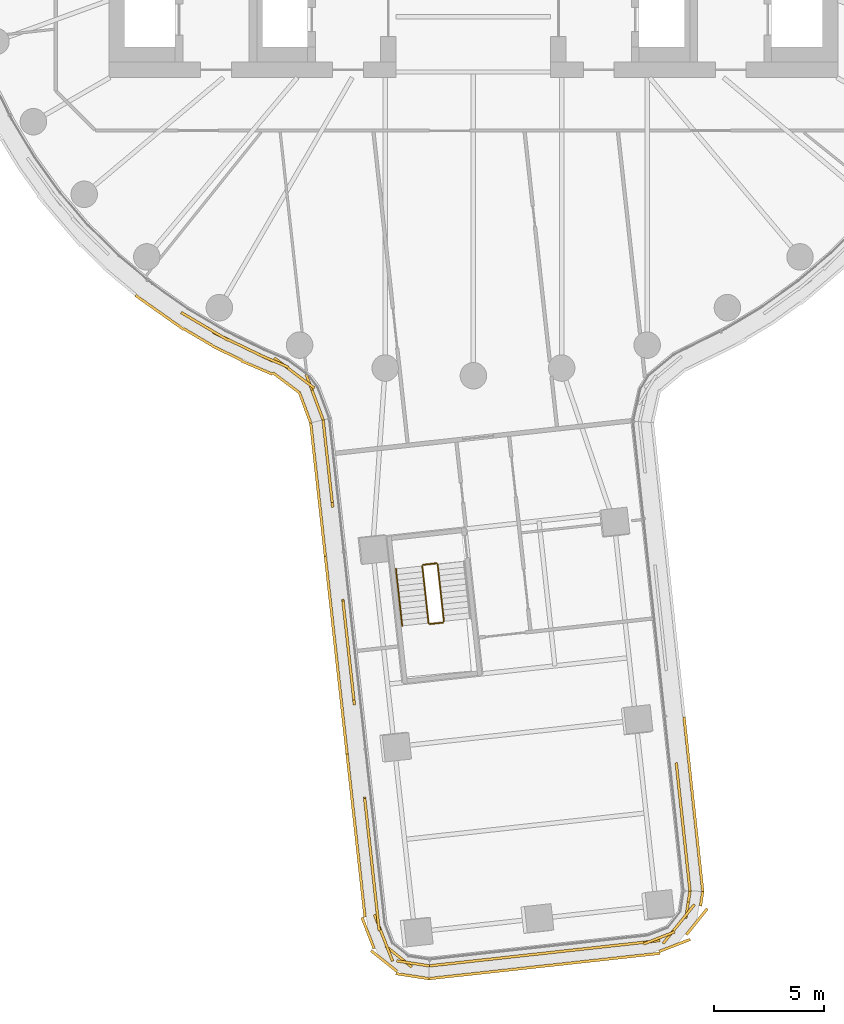
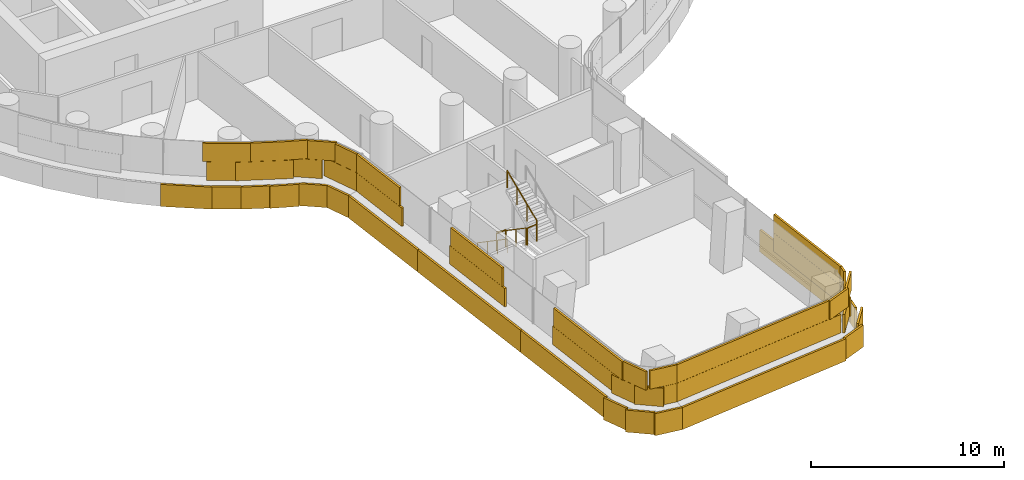
# One storey, part 25 of 31: 6 coverings, 5 railings.
"""IFC4 building model written with IfcOpenShell, lengths in metres."""

from ifc_helpers import new_model, si_unit, direction, frame, origin, origin_2d, place, context, subcontext, project, spatial, rectangle, circle, extrude, material, layer, layer_set, type_object, element, save


model = new_model("IFC4")

# Units and contexts
model_context = context("Model", 3, precision=1e-05, world=origin(), true_north=direction((0.0, 1.0)))
body_context = subcontext(model_context, "Body", "Model", "MODEL_VIEW")
ifc_project = project(units=[si_unit("LENGTHUNIT", "METRE"), si_unit("AREAUNIT", "SQUARE_METRE"), si_unit("VOLUMEUNIT", "CUBIC_METRE"), si_unit("PLANEANGLEUNIT", "RADIAN"), si_unit("MASSUNIT", "GRAM", prefix="KILO")], contexts=[model_context])

# Site, building, storey
site_placement = place(None, origin())
site = spatial("IfcSite", under=ifc_project, at=site_placement, CompositionType="ELEMENT")
building_placement = place(site_placement, origin())
building = spatial("IfcBuilding", under=site, at=building_placement, Name="Tamarind Cross Interchange Tower", CompositionType="ELEMENT")
storey_placement = place(building_placement, frame((0.0, 0.0, 56.5)))
storey = spatial("IfcBuildingStorey", under=building, at=storey_placement, Name="L12", CompositionType="ELEMENT", Elevation=56.5)

# Railings
ifc_material_1 = material(Name="Stair guard")
railing_type_1 = type_object("IfcRailingType", Name="Stair guard", PredefinedType="GUARDRAIL", material=ifc_material_1)
railing_1_placement = place(storey_placement, frame((-2.314453125, -31.610107421875, 0.17041015625)))
element("IfcRailing", 1, at=railing_1_placement, inside=storey, type_object=railing_type_1, Name="L12 ST6 stair guard 1", PredefinedType="GUARDRAIL", context=body_context, shape_type="SweptSolid", body=[
    extrude(circle(Radius=0.02392578125, at=origin_2d()), frame((0.0, 0.0, 1.076171875), z_axis=(0.091327612329, -0.831293296749, 0.548279784423), x_axis=(0.994019246663, 0.109205023982, 0.0)), (0.0, 0.0, 1.0), 3.10888671875),
    extrude(circle(Radius=0.02099609375, at=origin_2d()), origin(), (0.0, 0.0, 1.0), 1.052001953125),
    extrude(circle(Radius=0.02099609375, at=origin_2d()), frame((0.0947265625, -0.861572265625, 0.568115234375)), (0.0, 0.0, 1.0), 1.052001953125),
    extrude(circle(Radius=0.02099609375, at=origin_2d()), frame((0.189208984375, -1.722900390625, 1.136474609375)), (0.0, 0.0, 1.0), 1.052001953125),
    extrude(circle(Radius=0.02099609375, at=origin_2d()), frame((0.283935546875, -2.58447265625, 1.70458984375)), (0.0, 0.0, 1.0), 1.052001953125),
])
railing_2_placement = place(storey_placement, frame((-1.975341796875, -34.23876953125, 1.875)))
element("IfcRailing", 2, at=railing_2_placement, inside=storey, type_object=railing_type_1, Name="L12 ST6 stair guard 2", PredefinedType="GUARDRAIL", context=body_context, shape_type="SweptSolid", body=[
    extrude(circle(Radius=0.02392578125, at=origin_2d()), frame((0.0, 0.0, 1.076171875), z_axis=(0.994036595398, 0.109046994501, 0.0), x_axis=(-0.109046994501, 0.994036595398, 0.0)), (0.0, 0.0, 1.0), 0.60009765625),
    extrude(circle(Radius=0.02099609375, at=origin_2d()), origin(), (0.0, 0.0, 1.0), 1.052001953125),
    extrude(circle(Radius=0.02099609375, at=origin_2d()), frame((0.596435546875, 0.0654296875, 0.0)), (0.0, 0.0, 1.0), 1.052001953125),
])
railing_3_placement = place(storey_placement, frame((-1.334716796875, -34.1181640625, 2.04541015625)))
element("IfcRailing", 3, at=railing_3_placement, inside=storey, type_object=railing_type_1, Name="L12 ST6 stair guard 3", PredefinedType="GUARDRAIL", context=body_context, shape_type="SweptSolid", body=[
    extrude(circle(Radius=0.02392578125, at=origin_2d()), frame((0.0, 0.0, 1.076171875), z_axis=(-0.091327612329, 0.831293296749, 0.548279784423), x_axis=(-0.994019246663, -0.109205023982, 0.0)), (0.0, 0.0, 1.0), 3.10888671875),
    extrude(circle(Radius=0.02099609375, at=origin_2d()), origin(), (0.0, 0.0, 1.0), 1.052001953125),
    extrude(circle(Radius=0.02099609375, at=origin_2d()), frame((-0.0947265625, 0.861572265625, 0.568115234375)), (0.0, 0.0, 1.0), 1.052001953125),
    extrude(circle(Radius=0.02099609375, at=origin_2d()), frame((-0.189208984375, 1.722900390625, 1.136474609375)), (0.0, 0.0, 1.0), 1.052001953125),
    extrude(circle(Radius=0.02099609375, at=origin_2d()), frame((-0.283935546875, 2.58447265625, 1.70458984375)), (0.0, 0.0, 1.0), 1.052001953125),
])
railing_4_placement = place(storey_placement, frame((-2.270263671875, -31.554931640625, 0.0)))
element("IfcRailing", 4, at=railing_4_placement, inside=storey, type_object=railing_type_1, Name="L12 ST6 stair guard 4", PredefinedType="GUARDRAIL", context=body_context, shape_type="SweptSolid", body=[
    extrude(circle(Radius=0.02392578125, at=origin_2d()), frame((0.0, 0.0, 1.076171875), z_axis=(0.994036595398, 0.109046994501, 0.0), x_axis=(-0.109046994501, 0.994036595398, 0.0)), (0.0, 0.0, 1.0), 0.60009765625),
    extrude(circle(Radius=0.02099609375, at=origin_2d()), origin(), (0.0, 0.0, 1.0), 1.052001953125),
    extrude(circle(Radius=0.02099609375, at=origin_2d()), frame((0.596435546875, 0.0654296875, 0.0)), (0.0, 0.0, 1.0), 1.052001953125),
])
ifc_material_2 = material(Name="Stair handrail")
railing_type_2 = type_object("IfcRailingType", Name="Stair handrail", PredefinedType="HANDRAIL", material=ifc_material_2)
railing_5_placement = place(storey_placement, frame((-3.50732421875, -31.7412109375, 0.17041015625)))
element("IfcRailing", 5, at=railing_5_placement, inside=storey, type_object=railing_type_2, Name="L12 ST6 stair handrail 1", PredefinedType="HANDRAIL", context=body_context, shape_type="SweptSolid", body=[
    extrude(circle(Radius=0.02392578125, at=origin_2d()), frame((0.0, 0.0, 0.8759765625), z_axis=(0.091327612329, -0.831293296749, 0.548279784423), x_axis=(0.994019246663, 0.109205023982, 0.0)), (0.0, 0.0, 1.0), 3.10888671875),
    extrude(circle(Radius=0.02099609375, at=origin_2d()), origin(), (0.0, 0.0, 1.0), 0.851806640625),
    extrude(circle(Radius=0.02099609375, at=origin_2d()), frame((0.0947265625, -0.861572265625, 0.568115234375)), (0.0, 0.0, 1.0), 0.851806640625),
    extrude(circle(Radius=0.02099609375, at=origin_2d()), frame((0.189208984375, -1.722900390625, 1.136474609375)), (0.0, 0.0, 1.0), 0.851806640625),
    extrude(circle(Radius=0.02099609375, at=origin_2d()), frame((0.283935546875, -2.58447265625, 1.70458984375)), (0.0, 0.0, 1.0), 0.851806640625),
])

# Coverings
ifc_material_3 = material(Name="Terracotta", Category="masonry")
ifc_layer = layer(ifc_material_3, 0.1201171875)
ifc_layer_set = layer_set([ifc_layer], Name="Terracotta")
covering_type = type_object("IfcCoveringType", Name="Terracotta baguette screen unit", PredefinedType="MOLDING", material=ifc_layer_set)
covering_1_placement = place(storey_placement, origin())
element("IfcCovering", 6, at=covering_1_placement, inside=storey, type_object=covering_type, Name="SCR-L12-10-01", PredefinedType="MOLDING", context=body_context, shape_type="SweptSolid", body=[
    extrude(rectangle(XDim=1.52001953125, YDim=0.1201171875, at=origin_2d()), frame((-12.41162109375, -20.618896484375, 1.404052734375), z_axis=(0.0, 0.0, 1.0), x_axis=(0.861248933065, -0.508183308752, 0.0)), (0.0, 0.0, 1.0), 1.1669921875),
    extrude(rectangle(XDim=1.52001953125, YDim=0.1201171875, at=origin_2d()), frame((-11.108154296875, -21.35986328125, 1.404052734375), z_axis=(0.0, 0.0, 1.0), x_axis=(0.900272776334, -0.435326231914, 0.0)), (0.0, 0.0, 1.0), 1.1669921875),
    extrude(rectangle(XDim=1.52001953125, YDim=0.1201171875, at=origin_2d()), frame((-9.7578125, -22.012939453125, 1.404052734375), z_axis=(0.0, 0.0, 1.0), x_axis=(0.900272776334, -0.435326231914, 0.0)), (0.0, 0.0, 1.0), 1.1669921875),
    extrude(rectangle(XDim=1.52001953125, YDim=0.1201171875, at=origin_2d()), frame((-8.405517578125, -22.651123046875, 1.404052734375), z_axis=(0.0, 0.0, 1.0), x_axis=(0.799478775796, -0.600694337457, 0.0)), (0.0, 0.0, 1.0), 1.1669921875),
    extrude(rectangle(XDim=1.52001953125, YDim=0.1201171875, at=origin_2d()), frame((-7.3056640625, -23.651611328125, 1.404052734375), z_axis=(0.0, 0.0, 1.0), x_axis=(0.349296848309, -0.937012119325, 0.0)), (0.0, 0.0, 1.0), 1.1669921875),
    extrude(rectangle(XDim=0.69921875, YDim=0.1201171875, at=origin_2d()), frame((-6.92333984375, -24.67724609375, 1.404052734375), z_axis=(0.0, 0.0, 1.0), x_axis=(0.349296848309, -0.937012119325, 0.0)), (0.0, 0.0, 1.0), 1.1669921875),
    extrude(rectangle(XDim=0.9638671875, YDim=0.1201171875, at=origin_2d()), frame((-12.822265625, -20.376708984375, 2.5791015625), z_axis=(0.0, 0.0, 1.0), x_axis=(0.861248933065, -0.508183308752, 0.0)), (0.0, 0.0, 1.0), 1.1669921875),
    extrude(rectangle(XDim=1.52001953125, YDim=0.1201171875, at=origin_2d()), frame((-11.765625, -21.000244140625, 2.5791015625), z_axis=(0.0, 0.0, 1.0), x_axis=(0.861248933065, -0.508183308752, 0.0)), (0.0, 0.0, 1.0), 1.1669921875),
    extrude(rectangle(XDim=1.52001953125, YDim=0.1201171875, at=origin_2d()), frame((-10.43310546875, -21.686279296875, 2.5791015625), z_axis=(0.0, 0.0, 1.0), x_axis=(0.900272776334, -0.435326231914, 0.0)), (0.0, 0.0, 1.0), 1.1669921875),
    extrude(rectangle(XDim=1.52001953125, YDim=0.1201171875, at=origin_2d()), frame((-9.072265625, -22.31640625, 2.5791015625), z_axis=(0.0, 0.0, 1.0), x_axis=(0.91921788049, -0.393749270714, 0.0)), (0.0, 0.0, 1.0), 1.1669921875),
    extrude(rectangle(XDim=1.52001953125, YDim=0.1201171875, at=origin_2d()), frame((-7.805908203125, -23.1015625, 2.5791015625), z_axis=(0.0, 0.0, 1.0), x_axis=(0.799478775796, -0.600694337457, 0.0)), (0.0, 0.0, 1.0), 1.1669921875),
    extrude(rectangle(XDim=1.44921875, YDim=0.1201171875, at=origin_2d()), frame((-7.054443359375, -24.32568359375, 2.5791015625), z_axis=(0.0, 0.0, 1.0), x_axis=(0.349296848309, -0.937012119325, 0.0)), (0.0, 0.0, 1.0), 1.1669921875),
    extrude(rectangle(XDim=1.170654296875, YDim=0.1201171875, at=origin_2d()), frame((-14.818359375, -19.69873046875, 0.00390625), z_axis=(0.0, 0.0, 1.0), x_axis=(0.816341886298, -0.577568978284, 0.0)), (0.0, 0.0, 1.0), 1.39208984375),
    extrude(rectangle(XDim=1.52001953125, YDim=0.1201171875, at=origin_2d()), frame((-13.736572265625, -20.464111328125, 0.00390625), z_axis=(0.0, 0.0, 1.0), x_axis=(0.816341886298, -0.577568978284, 0.0)), (0.0, 0.0, 1.0), 1.39208984375),
    extrude(rectangle(XDim=1.52001953125, YDim=0.1201171875, at=origin_2d()), frame((-12.463134765625, -21.255126953125, 0.00390625), z_axis=(0.0, 0.0, 1.0), x_axis=(0.861248933065, -0.508183308752, 0.0)), (0.0, 0.0, 1.0), 1.39208984375),
    extrude(rectangle(XDim=1.52001953125, YDim=0.1201171875, at=origin_2d()), frame((-11.14990234375, -21.977294921875, 0.00390625), z_axis=(0.0, 0.0, 1.0), x_axis=(0.900272776334, -0.435326231914, 0.0)), (0.0, 0.0, 1.0), 1.39208984375),
    extrude(rectangle(XDim=1.52001953125, YDim=0.1201171875, at=origin_2d()), frame((-9.799072265625, -22.62939453125, 0.00390625), z_axis=(0.0, 0.0, 1.0), x_axis=(0.91921788049, -0.393749270714, 0.0)), (0.0, 0.0, 1.0), 1.39208984375),
    extrude(rectangle(XDim=1.52001953125, YDim=0.1201171875, at=origin_2d()), frame((-8.475830078125, -23.316162109375, 0.00390625), z_axis=(0.0, 0.0, 1.0), x_axis=(0.799478775796, -0.600694337457, 0.0)), (0.0, 0.0, 1.0), 1.39208984375),
    extrude(rectangle(XDim=1.455322265625, YDim=0.1201171875, at=origin_2d()), frame((-7.6201171875, -24.451904296875, 0.00390625), z_axis=(0.0, 0.0, 1.0), x_axis=(0.349296848309, -0.937012119325, 0.0)), (0.0, 0.0, 1.0), 1.39208984375),
])
covering_2_placement = place(storey_placement, origin())
element("IfcCovering", 7, at=covering_2_placement, inside=storey, type_object=covering_type, Name="SCR-L12-11-00", PredefinedType="MOLDING", context=body_context, shape_type="SweptSolid", body=[
    extrude(rectangle(XDim=1.510009765625, YDim=0.1201171875, at=origin_2d()), frame((-6.72119140625, -25.74560546875, 1.404052734375), z_axis=(0.0, 0.0, 1.0), x_axis=(0.109193040639, -0.994020563105, 0.0)), (0.0, 0.0, 1.0), 1.1669921875),
    extrude(rectangle(XDim=1.52001953125, YDim=0.1201171875, at=origin_2d()), frame((-6.557373046875, -27.236572265625, 1.404052734375), z_axis=(0.0, 0.0, 1.0), x_axis=(0.109193040639, -0.994020563105, 0.0)), (0.0, 0.0, 1.0), 1.1669921875),
    extrude(rectangle(XDim=0.982177734375, YDim=0.1201171875, at=origin_2d()), frame((-6.42236328125, -28.46533203125, 1.404052734375), z_axis=(0.0, 0.0, 1.0), x_axis=(0.109193040639, -0.994020563105, 0.0)), (0.0, 0.0, 1.0), 1.1669921875),
    extrude(rectangle(XDim=0.760009765625, YDim=0.1201171875, at=origin_2d()), frame((-6.76220703125, -25.372802734375, 2.5791015625), z_axis=(0.0, 0.0, 1.0), x_axis=(0.109193040639, -0.994020563105, 0.0)), (0.0, 0.0, 1.0), 1.1669921875),
    extrude(rectangle(XDim=1.52001953125, YDim=0.1201171875, at=origin_2d()), frame((-6.639404296875, -26.490966796875, 2.5791015625), z_axis=(0.0, 0.0, 1.0), x_axis=(0.109193040639, -0.994020563105, 0.0)), (0.0, 0.0, 1.0), 1.1669921875),
    extrude(rectangle(XDim=1.52001953125, YDim=0.1201171875, at=origin_2d()), frame((-6.4755859375, -27.982177734375, 2.5791015625), z_axis=(0.0, 0.0, 1.0), x_axis=(0.109193040639, -0.994020563105, 0.0)), (0.0, 0.0, 1.0), 1.1669921875),
    extrude(rectangle(XDim=1.510009765625, YDim=0.1201171875, at=origin_2d()), frame((-7.283447265625, -25.884033203125, 0.00390625), z_axis=(0.0, 0.0, 1.0), x_axis=(0.109193040639, -0.994020563105, 0.0)), (0.0, 0.0, 1.0), 1.39208984375),
    extrude(rectangle(XDim=1.52001953125, YDim=0.1201171875, at=origin_2d()), frame((-7.1201171875, -27.3701171875, 0.00390625), z_axis=(0.0, 0.0, 1.0), x_axis=(0.109193040639, -0.994020563105, 0.0)), (0.0, 0.0, 1.0), 1.39208984375),
    extrude(rectangle(XDim=1.52001953125, YDim=0.1201171875, at=origin_2d()), frame((-6.956298828125, -28.861328125, 0.00390625), z_axis=(0.0, 0.0, 1.0), x_axis=(0.109193040639, -0.994020563105, 0.0)), (0.0, 0.0, 1.0), 1.39208984375),
    extrude(rectangle(XDim=1.52001953125, YDim=0.1201171875, at=origin_2d()), frame((-6.792724609375, -30.352294921875, 0.00390625), z_axis=(0.0, 0.0, 1.0), x_axis=(0.109193040639, -0.994020563105, 0.0)), (0.0, 0.0, 1.0), 1.39208984375),
    extrude(rectangle(XDim=0.083251953125, YDim=0.1201171875, at=origin_2d()), frame((-6.707275390625, -31.129150390625, 0.00390625), z_axis=(0.0, 0.0, 1.0), x_axis=(0.109193040639, -0.994020563105, 0.0)), (0.0, 0.0, 1.0), 1.39208984375),
])
covering_3_placement = place(storey_placement, origin())
element("IfcCovering", 8, at=covering_3_placement, inside=storey, type_object=covering_type, Name="SCR-L12-11-01", PredefinedType="MOLDING", context=body_context, shape_type="SweptSolid", body=[
    extrude(rectangle(XDim=0.837890625, YDim=0.1201171875, at=origin_2d()), frame((-5.865478515625, -33.53466796875, 1.404052734375), z_axis=(0.0, 0.0, 1.0), x_axis=(0.109193040639, -0.994020563105, 0.0)), (0.0, 0.0, 1.0), 1.1669921875),
    extrude(rectangle(XDim=1.52001953125, YDim=0.1201171875, at=origin_2d()), frame((-5.738525390625, -34.691650390625, 1.404052734375), z_axis=(0.0, 0.0, 1.0), x_axis=(0.109193040639, -0.994020563105, 0.0)), (0.0, 0.0, 1.0), 1.1669921875),
    extrude(rectangle(XDim=1.52001953125, YDim=0.1201171875, at=origin_2d()), frame((-5.57470703125, -36.182861328125, 1.404052734375), z_axis=(0.0, 0.0, 1.0), x_axis=(0.109193040639, -0.994020563105, 0.0)), (0.0, 0.0, 1.0), 1.1669921875),
    extrude(rectangle(XDim=0.982421875, YDim=0.1201171875, at=origin_2d()), frame((-5.439697265625, -37.41162109375, 1.404052734375), z_axis=(0.0, 0.0, 1.0), x_axis=(0.109193040639, -0.994020563105, 0.0)), (0.0, 0.0, 1.0), 1.1669921875),
    extrude(rectangle(XDim=1.52001953125, YDim=0.1201171875, at=origin_2d()), frame((-5.8203125, -33.9462890625, 2.5791015625), z_axis=(0.0, 0.0, 1.0), x_axis=(0.109193040639, -0.994020563105, 0.0)), (0.0, 0.0, 1.0), 1.1669921875),
    extrude(rectangle(XDim=1.52001953125, YDim=0.1201171875, at=origin_2d()), frame((-5.656494140625, -35.437255859375, 2.5791015625), z_axis=(0.0, 0.0, 1.0), x_axis=(0.109193040639, -0.994020563105, 0.0)), (0.0, 0.0, 1.0), 1.1669921875),
    extrude(rectangle(XDim=1.52001953125, YDim=0.1201171875, at=origin_2d()), frame((-5.49267578125, -36.92822265625, 2.5791015625), z_axis=(0.0, 0.0, 1.0), x_axis=(0.109193040639, -0.994020563105, 0.0)), (0.0, 0.0, 1.0), 1.1669921875),
    extrude(rectangle(XDim=1.436767578125, YDim=0.1201171875, at=origin_2d()), frame((-6.624267578125, -31.884765625, 0.00390625), z_axis=(0.0, 0.0, 1.0), x_axis=(0.109193040639, -0.994020563105, 0.0)), (0.0, 0.0, 1.0), 1.39208984375),
    extrude(rectangle(XDim=1.52001953125, YDim=0.1201171875, at=origin_2d()), frame((-6.465087890625, -33.334228515625, 0.00390625), z_axis=(0.0, 0.0, 1.0), x_axis=(0.109193040639, -0.994020563105, 0.0)), (0.0, 0.0, 1.0), 1.39208984375),
    extrude(rectangle(XDim=1.52001953125, YDim=0.1201171875, at=origin_2d()), frame((-6.30126953125, -34.825439453125, 0.00390625), z_axis=(0.0, 0.0, 1.0), x_axis=(0.109193040639, -0.994020563105, 0.0)), (0.0, 0.0, 1.0), 1.39208984375),
    extrude(rectangle(XDim=1.52001953125, YDim=0.1201171875, at=origin_2d()), frame((-6.137451171875, -36.31640625, 0.00390625), z_axis=(0.0, 0.0, 1.0), x_axis=(0.109193040639, -0.994020563105, 0.0)), (0.0, 0.0, 1.0), 1.39208984375),
    extrude(rectangle(XDim=1.52001953125, YDim=0.1201171875, at=origin_2d()), frame((-5.9736328125, -37.807373046875, 0.00390625), z_axis=(0.0, 0.0, 1.0), x_axis=(0.109193040639, -0.994020563105, 0.0)), (0.0, 0.0, 1.0), 1.39208984375),
    extrude(rectangle(XDim=1.52001953125, YDim=0.1201171875, at=origin_2d()), frame((-5.809814453125, -39.29833984375, 0.00390625), z_axis=(0.0, 0.0, 1.0), x_axis=(0.109193040639, -0.994020563105, 0.0)), (0.0, 0.0, 1.0), 1.39208984375),
    extrude(rectangle(XDim=0.0849609375, YDim=0.1201171875, at=origin_2d()), frame((-5.724365234375, -40.076416015625, 0.00390625), z_axis=(0.0, 0.0, 1.0), x_axis=(0.109193040639, -0.994020563105, 0.0)), (0.0, 0.0, 1.0), 1.39208984375),
])
covering_4_placement = place(storey_placement, origin())
element("IfcCovering", 9, at=covering_4_placement, inside=storey, type_object=covering_type, Name="SCR-L12-11-02", PredefinedType="MOLDING", context=body_context, shape_type="SweptSolid", body=[
    extrude(rectangle(XDim=0.837646484375, YDim=0.1201171875, at=origin_2d()), frame((-4.8828125, -42.48095703125, 1.404052734375), z_axis=(0.0, 0.0, 1.0), x_axis=(0.109193040639, -0.994020563105, 0.0)), (0.0, 0.0, 1.0), 1.1669921875),
    extrude(rectangle(XDim=1.52001953125, YDim=0.1201171875, at=origin_2d()), frame((-4.755615234375, -43.637939453125, 1.404052734375), z_axis=(0.0, 0.0, 1.0), x_axis=(0.109193040639, -0.994020563105, 0.0)), (0.0, 0.0, 1.0), 1.1669921875),
    extrude(rectangle(XDim=1.52001953125, YDim=0.1201171875, at=origin_2d()), frame((-4.592041015625, -45.12890625, 1.404052734375), z_axis=(0.0, 0.0, 1.0), x_axis=(0.109193040639, -0.994020563105, 0.0)), (0.0, 0.0, 1.0), 1.1669921875),
    extrude(rectangle(XDim=1.52001953125, YDim=0.1201171875, at=origin_2d()), frame((-4.42822265625, -46.619873046875, 1.404052734375), z_axis=(0.0, 0.0, 1.0), x_axis=(0.109193040639, -0.994020563105, 0.0)), (0.0, 0.0, 1.0), 1.1669921875),
    extrude(rectangle(XDim=1.52001953125, YDim=0.1201171875, at=origin_2d()), frame((-4.2041015625, -48.09619140625, 1.404052734375), z_axis=(0.0, 0.0, 1.0), x_axis=(0.36274383096, -0.931888895256, 0.0)), (0.0, 0.0, 1.0), 1.1669921875),
    extrude(rectangle(XDim=1.52001953125, YDim=0.1201171875, at=origin_2d()), frame((-3.3818359375, -49.2900390625, 1.404052734375), z_axis=(0.0, 0.0, 1.0), x_axis=(0.780089820305, -0.625667541316, 0.0)), (0.0, 0.0, 1.0), 1.1669921875),
    extrude(rectangle(XDim=0.748046875, YDim=0.1201171875, at=origin_2d()), frame((-2.362548828125, -49.657470703125, 1.404052734375), z_axis=(0.0, 0.0, 1.0), x_axis=(0.988411372276, -0.151799074951, 0.0)), (0.0, 0.0, 1.0), 1.1669921875),
    extrude(rectangle(XDim=1.52001953125, YDim=0.1201171875, at=origin_2d()), frame((-4.837646484375, -42.892333984375, 2.5791015625), z_axis=(0.0, 0.0, 1.0), x_axis=(0.109193040639, -0.994020563105, 0.0)), (0.0, 0.0, 1.0), 1.1669921875),
    extrude(rectangle(XDim=1.52001953125, YDim=0.1201171875, at=origin_2d()), frame((-4.673828125, -44.383544921875, 2.5791015625), z_axis=(0.0, 0.0, 1.0), x_axis=(0.109193040639, -0.994020563105, 0.0)), (0.0, 0.0, 1.0), 1.1669921875),
    extrude(rectangle(XDim=1.52001953125, YDim=0.1201171875, at=origin_2d()), frame((-4.510009765625, -45.87451171875, 2.5791015625), z_axis=(0.0, 0.0, 1.0), x_axis=(0.109193040639, -0.994020563105, 0.0)), (0.0, 0.0, 1.0), 1.1669921875),
    extrude(rectangle(XDim=1.52001953125, YDim=0.1201171875, at=origin_2d()), frame((-4.34619140625, -47.365478515625, 2.5791015625), z_axis=(0.0, 0.0, 1.0), x_axis=(0.109193040639, -0.994020563105, 0.0)), (0.0, 0.0, 1.0), 1.1669921875),
    extrude(rectangle(XDim=1.52001953125, YDim=0.1201171875, at=origin_2d()), frame((-3.931884765625, -48.795166015625, 2.5791015625), z_axis=(0.0, 0.0, 1.0), x_axis=(0.36274383096, -0.931888895256, 0.0)), (0.0, 0.0, 1.0), 1.1669921875),
    extrude(rectangle(XDim=1.498046875, YDim=0.1201171875, at=origin_2d()), frame((-2.733154296875, -49.600341796875, 2.5791015625), z_axis=(0.0, 0.0, 1.0), x_axis=(0.988411372276, -0.151799074951, 0.0)), (0.0, 0.0, 1.0), 1.1669921875),
    extrude(rectangle(XDim=1.434814453125, YDim=0.1201171875, at=origin_2d()), frame((-5.641357421875, -40.831787109375, 0.00390625), z_axis=(0.0, 0.0, 1.0), x_axis=(0.109193040639, -0.994020563105, 0.0)), (0.0, 0.0, 1.0), 1.39208984375),
    extrude(rectangle(XDim=1.52001953125, YDim=0.1201171875, at=origin_2d()), frame((-5.482177734375, -42.280517578125, 0.00390625), z_axis=(0.0, 0.0, 1.0), x_axis=(0.109193040639, -0.994020563105, 0.0)), (0.0, 0.0, 1.0), 1.39208984375),
    extrude(rectangle(XDim=1.52001953125, YDim=0.1201171875, at=origin_2d()), frame((-5.318603515625, -43.771484375, 0.00390625), z_axis=(0.0, 0.0, 1.0), x_axis=(0.109193040639, -0.994020563105, 0.0)), (0.0, 0.0, 1.0), 1.39208984375),
    extrude(rectangle(XDim=1.52001953125, YDim=0.1201171875, at=origin_2d()), frame((-5.15478515625, -45.2626953125, 0.00390625), z_axis=(0.0, 0.0, 1.0), x_axis=(0.109193040639, -0.994020563105, 0.0)), (0.0, 0.0, 1.0), 1.39208984375),
    extrude(rectangle(XDim=1.52001953125, YDim=0.1201171875, at=origin_2d()), frame((-4.990966796875, -46.753662109375, 0.00390625), z_axis=(0.0, 0.0, 1.0), x_axis=(0.109193040639, -0.994020563105, 0.0)), (0.0, 0.0, 1.0), 1.39208984375),
    extrude(rectangle(XDim=1.52001953125, YDim=0.1201171875, at=origin_2d()), frame((-4.767822265625, -48.230224609375, 0.00390625), z_axis=(0.0, 0.0, 1.0), x_axis=(0.36274383096, -0.931888895256, 0.0)), (0.0, 0.0, 1.0), 1.39208984375),
    extrude(rectangle(XDim=1.52001953125, YDim=0.1201171875, at=origin_2d()), frame((-4.04296875, -49.495361328125, 0.00390625), z_axis=(0.0, 0.0, 1.0), x_axis=(0.780089820305, -0.625667541316, 0.0)), (0.0, 0.0, 1.0), 1.39208984375),
    extrude(rectangle(XDim=1.52001953125, YDim=0.1201171875, at=origin_2d()), frame((-2.760009765625, -50.177001953125, 0.00390625), z_axis=(0.0, 0.0, 1.0), x_axis=(0.988411372276, -0.151799074951, 0.0)), (0.0, 0.0, 1.0), 1.39208984375),
])
covering_5_placement = place(storey_placement, origin())
element("IfcCovering", 10, at=covering_5_placement, inside=storey, type_object=covering_type, Name="SCR-L12-12-00", PredefinedType="MOLDING", context=body_context, shape_type="SweptSolid", body=[
    extrude(rectangle(XDim=1.510009765625, YDim=0.1201171875, at=origin_2d()), frame((-1.252197265625, -49.631591796875, 1.404052734375), z_axis=(0.0, 0.0, 1.0), x_axis=(0.994020563105, 0.109193040639, 0.0)), (0.0, 0.0, 1.0), 1.1669921875),
    extrude(rectangle(XDim=1.52001953125, YDim=0.1201171875, at=origin_2d()), frame((0.23876953125, -49.4677734375, 1.404052734375), z_axis=(0.0, 0.0, 1.0), x_axis=(0.994020563105, 0.109193040639, 0.0)), (0.0, 0.0, 1.0), 1.1669921875),
    extrude(rectangle(XDim=1.52001953125, YDim=0.1201171875, at=origin_2d()), frame((1.72998046875, -49.303955078125, 1.404052734375), z_axis=(0.0, 0.0, 1.0), x_axis=(0.994020563105, 0.109193040639, 0.0)), (0.0, 0.0, 1.0), 1.1669921875),
    extrude(rectangle(XDim=1.52001953125, YDim=0.1201171875, at=origin_2d()), frame((3.220947265625, -49.14013671875, 1.404052734375), z_axis=(0.0, 0.0, 1.0), x_axis=(0.994020563105, 0.109193040639, 0.0)), (0.0, 0.0, 1.0), 1.1669921875),
    extrude(rectangle(XDim=1.52001953125, YDim=0.1201171875, at=origin_2d()), frame((4.7119140625, -48.976318359375, 1.404052734375), z_axis=(0.0, 0.0, 1.0), x_axis=(0.994020563105, 0.109193040639, 0.0)), (0.0, 0.0, 1.0), 1.1669921875),
    extrude(rectangle(XDim=1.52001953125, YDim=0.1201171875, at=origin_2d()), frame((6.202880859375, -48.8125, 1.404052734375), z_axis=(0.0, 0.0, 1.0), x_axis=(0.994020563105, 0.109193040639, 0.0)), (0.0, 0.0, 1.0), 1.1669921875),
    extrude(rectangle(XDim=1.52001953125, YDim=0.1201171875, at=origin_2d()), frame((7.694091796875, -48.648681640625, 1.404052734375), z_axis=(0.0, 0.0, 1.0), x_axis=(0.994020563105, 0.109193040639, 0.0)), (0.0, 0.0, 1.0), 1.1669921875),
    extrude(rectangle(XDim=1.52001953125, YDim=0.1201171875, at=origin_2d()), frame((9.061279296875, -48.109375, 1.404052734375), z_axis=(0.0, 0.0, 1.0), x_axis=(0.625667541316, 0.780089820305, 0.0)), (0.0, 0.0, 1.0), 1.1669921875),
    extrude(rectangle(XDim=1.259521484375, YDim=0.1201171875, at=origin_2d()), frame((9.7099609375, -46.94384765625, 1.404052734375), z_axis=(0.0, 0.0, 1.0), x_axis=(0.151799074951, 0.988411372276, 0.0)), (0.0, 0.0, 1.0), 1.1669921875),
    extrude(rectangle(XDim=0.760009765625, YDim=0.1201171875, at=origin_2d()), frame((-1.625, -49.67236328125, 2.5791015625), z_axis=(0.0, 0.0, 1.0), x_axis=(0.994020563105, 0.109193040639, 0.0)), (0.0, 0.0, 1.0), 1.1669921875),
    extrude(rectangle(XDim=1.52001953125, YDim=0.1201171875, at=origin_2d()), frame((-0.506591796875, -49.549560546875, 2.5791015625), z_axis=(0.0, 0.0, 1.0), x_axis=(0.994020563105, 0.109193040639, 0.0)), (0.0, 0.0, 1.0), 1.1669921875),
    extrude(rectangle(XDim=1.52001953125, YDim=0.1201171875, at=origin_2d()), frame((0.984375, -49.3857421875, 2.5791015625), z_axis=(0.0, 0.0, 1.0), x_axis=(0.994020563105, 0.109193040639, 0.0)), (0.0, 0.0, 1.0), 1.1669921875),
    extrude(rectangle(XDim=1.52001953125, YDim=0.1201171875, at=origin_2d()), frame((2.475341796875, -49.221923828125, 2.5791015625), z_axis=(0.0, 0.0, 1.0), x_axis=(0.994020563105, 0.109193040639, 0.0)), (0.0, 0.0, 1.0), 1.1669921875),
    extrude(rectangle(XDim=1.52001953125, YDim=0.1201171875, at=origin_2d()), frame((3.966552734375, -49.058349609375, 2.5791015625), z_axis=(0.0, 0.0, 1.0), x_axis=(0.994020563105, 0.109193040639, 0.0)), (0.0, 0.0, 1.0), 1.1669921875),
    extrude(rectangle(XDim=1.52001953125, YDim=0.1201171875, at=origin_2d()), frame((5.45751953125, -48.89453125, 2.5791015625), z_axis=(0.0, 0.0, 1.0), x_axis=(0.994020563105, 0.109193040639, 0.0)), (0.0, 0.0, 1.0), 1.1669921875),
    extrude(rectangle(XDim=1.52001953125, YDim=0.1201171875, at=origin_2d()), frame((6.948486328125, -48.730712890625, 2.5791015625), z_axis=(0.0, 0.0, 1.0), x_axis=(0.994020563105, 0.109193040639, 0.0)), (0.0, 0.0, 1.0), 1.1669921875),
    extrude(rectangle(XDim=1.52001953125, YDim=0.1201171875, at=origin_2d()), frame((8.409912109375, -48.446044921875, 2.5791015625), z_axis=(0.0, 0.0, 1.0), x_axis=(0.931888895256, 0.36274383096, 0.0)), (0.0, 0.0, 1.0), 1.1669921875),
    extrude(rectangle(XDim=1.52001953125, YDim=0.1201171875, at=origin_2d()), frame((9.530517578125, -47.524169921875, 2.5791015625), z_axis=(0.0, 0.0, 1.0), x_axis=(0.625667541316, 0.780089820305, 0.0)), (0.0, 0.0, 1.0), 1.1669921875),
    extrude(rectangle(XDim=0.509521484375, YDim=0.1201171875, at=origin_2d()), frame((9.766845703125, -46.5732421875, 2.5791015625), z_axis=(0.0, 0.0, 1.0), x_axis=(0.151799074951, 0.988411372276, 0.0)), (0.0, 0.0, 1.0), 1.1669921875),
    extrude(rectangle(XDim=1.510009765625, YDim=0.1201171875, at=origin_2d()), frame((-1.259521484375, -50.209716796875, 0.00390625), z_axis=(0.0, 0.0, 1.0), x_axis=(0.994020563105, 0.109193040639, 0.0)), (0.0, 0.0, 1.0), 1.39208984375),
    extrude(rectangle(XDim=1.52001953125, YDim=0.1201171875, at=origin_2d()), frame((0.226318359375, -50.046630859375, 0.00390625), z_axis=(0.0, 0.0, 1.0), x_axis=(0.994020563105, 0.109193040639, 0.0)), (0.0, 0.0, 1.0), 1.39208984375),
    extrude(rectangle(XDim=1.52001953125, YDim=0.1201171875, at=origin_2d()), frame((1.717529296875, -49.8828125, 0.00390625), z_axis=(0.0, 0.0, 1.0), x_axis=(0.994020563105, 0.109193040639, 0.0)), (0.0, 0.0, 1.0), 1.39208984375),
    extrude(rectangle(XDim=1.52001953125, YDim=0.1201171875, at=origin_2d()), frame((3.20849609375, -49.718994140625, 0.00390625), z_axis=(0.0, 0.0, 1.0), x_axis=(0.994020563105, 0.109193040639, 0.0)), (0.0, 0.0, 1.0), 1.39208984375),
    extrude(rectangle(XDim=1.52001953125, YDim=0.1201171875, at=origin_2d()), frame((4.699462890625, -49.55517578125, 0.00390625), z_axis=(0.0, 0.0, 1.0), x_axis=(0.994020563105, 0.109193040639, 0.0)), (0.0, 0.0, 1.0), 1.39208984375),
    extrude(rectangle(XDim=1.52001953125, YDim=0.1201171875, at=origin_2d()), frame((6.1904296875, -49.391357421875, 0.00390625), z_axis=(0.0, 0.0, 1.0), x_axis=(0.994020563105, 0.109193040639, 0.0)), (0.0, 0.0, 1.0), 1.39208984375),
    extrude(rectangle(XDim=1.52001953125, YDim=0.1201171875, at=origin_2d()), frame((7.681640625, -49.2275390625, 0.00390625), z_axis=(0.0, 0.0, 1.0), x_axis=(0.994020563105, 0.109193040639, 0.0)), (0.0, 0.0, 1.0), 1.39208984375),
    extrude(rectangle(XDim=1.52001953125, YDim=0.1201171875, at=origin_2d()), frame((9.105712890625, -48.791259765625, 0.00390625), z_axis=(0.0, 0.0, 1.0), x_axis=(0.931888895256, 0.36274383096, 0.0)), (0.0, 0.0, 1.0), 1.39208984375),
    extrude(rectangle(XDim=1.52001953125, YDim=0.1201171875, at=origin_2d()), frame((10.11328125, -47.715087890625, 0.00390625), z_axis=(0.0, 0.0, 1.0), x_axis=(0.625667541316, 0.780089820305, 0.0)), (0.0, 0.0, 1.0), 1.39208984375),
    extrude(rectangle(XDim=0.67626953125, YDim=0.1201171875, at=origin_2d()), frame((10.332275390625, -46.673828125, 0.00390625), z_axis=(0.0, 0.0, 1.0), x_axis=(0.151799074951, 0.988411372276, 0.0)), (0.0, 0.0, 1.0), 1.39208984375),
])
covering_6_placement = place(storey_placement, origin())
element("IfcCovering", 11, at=covering_6_placement, inside=storey, type_object=covering_type, Name="SCR-L12-13-00", PredefinedType="MOLDING", context=body_context, shape_type="SweptSolid", body=[
    extrude(rectangle(XDim=1.510009765625, YDim=0.1201171875, at=origin_2d()), frame((9.724853515625, -45.58056640625, 1.404052734375), z_axis=(0.0, 0.0, 1.0), x_axis=(-0.106743612679, 0.994286578986, 0.0)), (0.0, 0.0, 1.0), 1.1669921875),
    extrude(rectangle(XDim=1.52001953125, YDim=0.1201171875, at=origin_2d()), frame((9.564697265625, -44.089111328125, 1.404052734375), z_axis=(0.0, 0.0, 1.0), x_axis=(-0.106743612679, 0.994286578986, 0.0)), (0.0, 0.0, 1.0), 1.1669921875),
    extrude(rectangle(XDim=1.52001953125, YDim=0.1201171875, at=origin_2d()), frame((9.404541015625, -42.597900390625, 1.404052734375), z_axis=(0.0, 0.0, 1.0), x_axis=(-0.106743612679, 0.994286578986, 0.0)), (0.0, 0.0, 1.0), 1.1669921875),
    extrude(rectangle(XDim=1.348388671875, YDim=0.1201171875, at=origin_2d()), frame((9.253173828125, -41.186767578125, 1.404052734375), z_axis=(0.0, 0.0, 1.0), x_axis=(-0.106743612679, 0.994286578986, 0.0)), (0.0, 0.0, 1.0), 1.1669921875),
    extrude(rectangle(XDim=0.760009765625, YDim=0.1201171875, at=origin_2d()), frame((9.764892578125, -45.95361328125, 2.5791015625), z_axis=(0.0, 0.0, 1.0), x_axis=(-0.106743612679, 0.994286578986, 0.0)), (0.0, 0.0, 1.0), 1.1669921875),
    extrude(rectangle(XDim=1.52001953125, YDim=0.1201171875, at=origin_2d()), frame((9.644775390625, -44.8349609375, 2.5791015625), z_axis=(0.0, 0.0, 1.0), x_axis=(-0.106743612679, 0.994286578986, 0.0)), (0.0, 0.0, 1.0), 1.1669921875),
    extrude(rectangle(XDim=1.52001953125, YDim=0.1201171875, at=origin_2d()), frame((9.484619140625, -43.343505859375, 2.5791015625), z_axis=(0.0, 0.0, 1.0), x_axis=(-0.106743612679, 0.994286578986, 0.0)), (0.0, 0.0, 1.0), 1.1669921875),
    extrude(rectangle(XDim=1.52001953125, YDim=0.1201171875, at=origin_2d()), frame((9.324462890625, -41.85205078125, 2.5791015625), z_axis=(0.0, 0.0, 1.0), x_axis=(-0.106743612679, 0.994286578986, 0.0)), (0.0, 0.0, 1.0), 1.1669921875),
    extrude(rectangle(XDim=0.598388671875, YDim=0.1201171875, at=origin_2d()), frame((9.213134765625, -40.81396484375, 2.5791015625), z_axis=(0.0, 0.0, 1.0), x_axis=(-0.106743612679, 0.994286578986, 0.0)), (0.0, 0.0, 1.0), 1.1669921875),
    extrude(rectangle(XDim=1.510009765625, YDim=0.1201171875, at=origin_2d()), frame((10.302978515625, -45.5888671875, 0.00390625), z_axis=(0.0, 0.0, 1.0), x_axis=(-0.106743612679, 0.994286578986, 0.0)), (0.0, 0.0, 1.0), 1.39208984375),
    extrude(rectangle(XDim=1.52001953125, YDim=0.1201171875, at=origin_2d()), frame((10.143310546875, -44.102294921875, 0.00390625), z_axis=(0.0, 0.0, 1.0), x_axis=(-0.106743612679, 0.994286578986, 0.0)), (0.0, 0.0, 1.0), 1.39208984375),
    extrude(rectangle(XDim=1.52001953125, YDim=0.1201171875, at=origin_2d()), frame((9.9833984375, -42.61083984375, 0.00390625), z_axis=(0.0, 0.0, 1.0), x_axis=(-0.106743612679, 0.994286578986, 0.0)), (0.0, 0.0, 1.0), 1.39208984375),
    extrude(rectangle(XDim=1.52001953125, YDim=0.1201171875, at=origin_2d()), frame((9.8232421875, -41.11962890625, 0.00390625), z_axis=(0.0, 0.0, 1.0), x_axis=(-0.106743612679, 0.994286578986, 0.0)), (0.0, 0.0, 1.0), 1.39208984375),
    extrude(rectangle(XDim=1.52001953125, YDim=0.1201171875, at=origin_2d()), frame((9.6630859375, -39.628173828125, 0.00390625), z_axis=(0.0, 0.0, 1.0), x_axis=(-0.106743612679, 0.994286578986, 0.0)), (0.0, 0.0, 1.0), 1.39208984375),
    extrude(rectangle(XDim=0.441162109375, YDim=0.1201171875, at=origin_2d()), frame((9.560546875, -38.6728515625, 0.00390625), z_axis=(0.0, 0.0, 1.0), x_axis=(-0.106743612679, 0.994286578986, 0.0)), (0.0, 0.0, 1.0), 1.39208984375),
])

save(model, "model.ifc")
